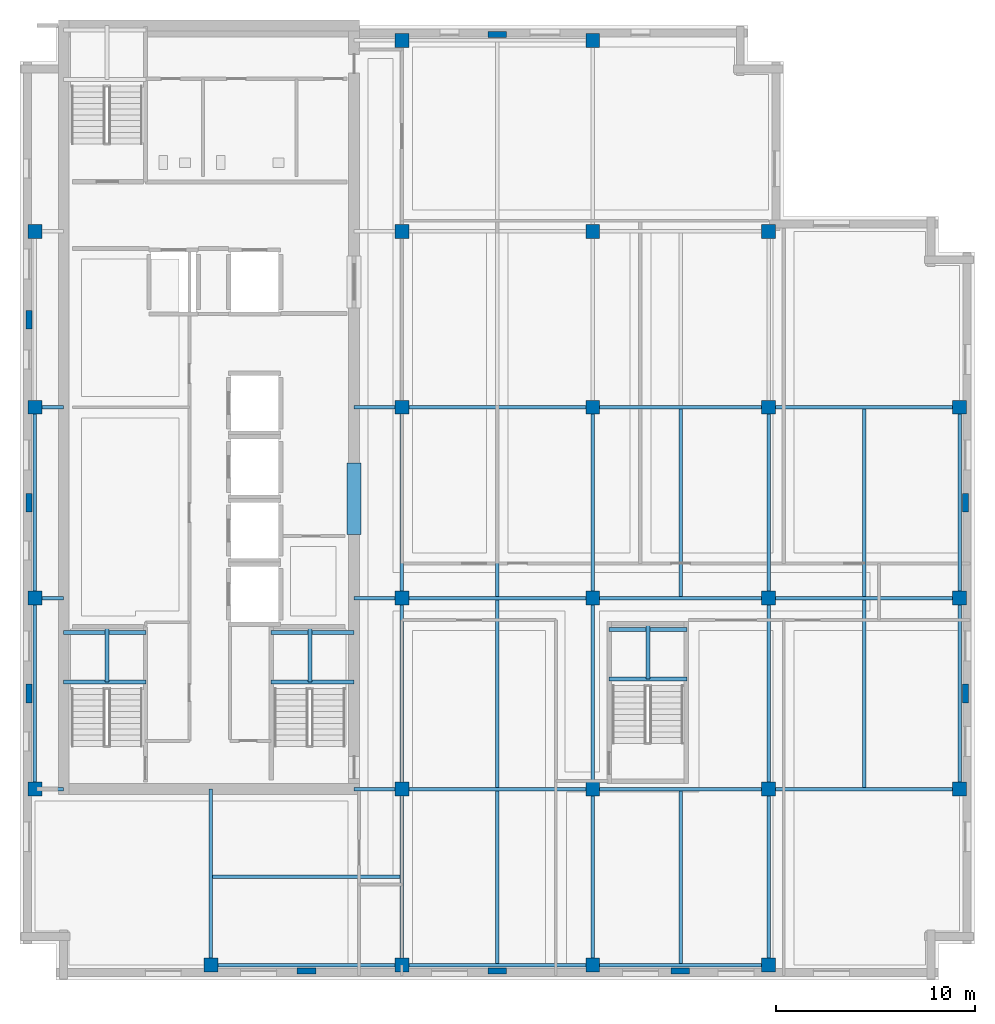
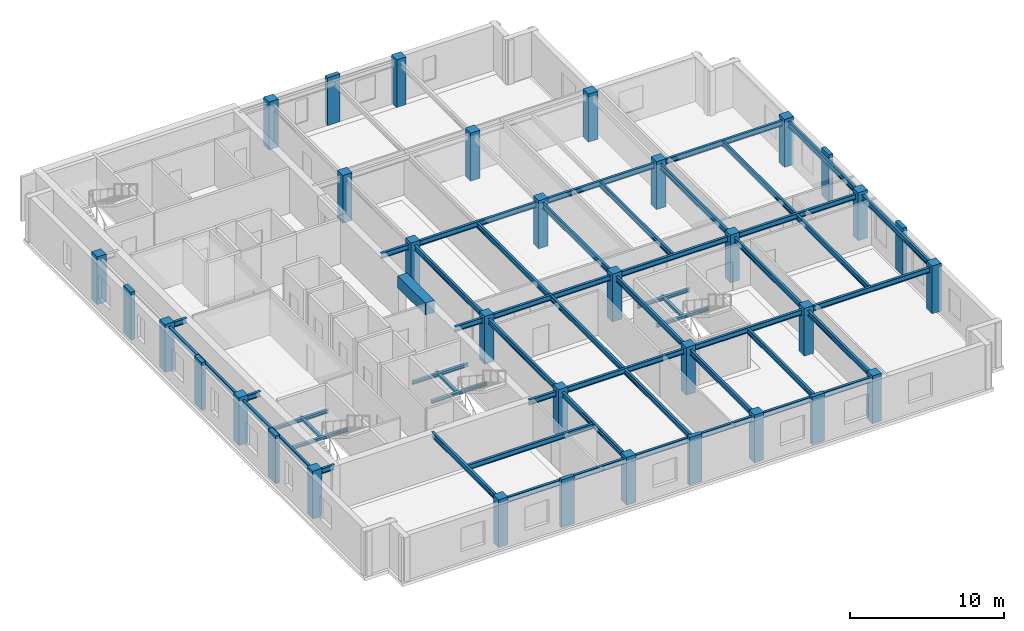
# One storey, part 1 of 11: 50 beams, 34 columns.
"""IFC4 building model written with IfcOpenShell, lengths in metres."""

import ifcopenshell
import ifcopenshell.guid

model = None  # the IFC model being written
_history = None  # IfcOwnerHistory: only IFC2X3 demands one
_inside = {}  # id of a spatial element -> (the spatial element, [elements in it])
_under = {}  # id of a project, library or spatial element -> (it, [spatial elements below it])
_declared = {}  # id of a project -> (the project, [libraries it declares])
_typed = {}  # id of a type object -> (the type object, [elements of that type])
_made_of = {}  # id of a material, layer set ... -> (it, [elements and type objects made of it])


def new_model(schema):
    """Start an empty IFC model of exactly this schema.

    Asked for "IFC4X3", IfcOpenShell would pick the latest addendum, in which some entities
    have other attributes; the version numbers below select the first issue.
    IFC2X3 requires an IfcOwnerHistory on every rooted entity: one is made here for all.
    """
    global model, _history
    if schema == "IFC4X3":
        model = ifcopenshell.file(schema_version=(4, 3, 0, 0))
    else:
        model = ifcopenshell.file(schema=schema)
    _inside.clear()
    _under.clear()
    _declared.clear()
    _typed.clear()
    _made_of.clear()
    _history = None
    if model.schema == "IFC2X3":
        org = make("IfcOrganization", Name="unknown")
        user = make(
            "IfcPersonAndOrganization",
            ThePerson=make("IfcPerson", FamilyName="unknown"),
            TheOrganization=org,
        )
        app = make(
            "IfcApplication",
            ApplicationDeveloper=org,
            Version="unknown",
            ApplicationFullName="unknown",
            ApplicationIdentifier="unknown",
        )
        _history = make(
            "IfcOwnerHistory",
            OwningUser=user,
            OwningApplication=app,
            ChangeAction="ADDED",
            CreationDate=0,
        )
    return model


def make(cls, **values):
    """One entity of the class cls with the attributes given. An attribute that is None is left unset."""
    return model.create_entity(
        cls, **{name: value for name, value in values.items() if value is not None}
    )


def rooted(cls, **values):
    """An entity with a GlobalId (a new one), such as an element, a storey or a relation."""
    return make(cls, GlobalId=ifcopenshell.guid.new(), OwnerHistory=_history, **values)


def si_unit(unit_type, name, prefix=None):
    """IfcSIUnit, for example si_unit("LENGTHUNIT", "METRE", prefix="MILLI")."""
    return make("IfcSIUnit", UnitType=unit_type, Prefix=prefix, Name=name)


def assignment(units):
    """IfcUnitAssignment: the units of a project."""
    return None if units is None else make("IfcUnitAssignment", Units=units)


def point(xyz):
    """IfcCartesianPoint."""
    return None if xyz is None else make("IfcCartesianPoint", Coordinates=xyz)


def direction(xyz):
    """IfcDirection."""
    return None if xyz is None else make("IfcDirection", DirectionRatios=xyz)


def frame(location, z_axis=None, x_axis=None):
    """IfcAxis2Placement3D, a coordinate frame: its origin and axes. An axis left out is left unset."""
    return make(
        "IfcAxis2Placement3D",
        Location=point(location),
        Axis=direction(z_axis),
        RefDirection=direction(x_axis),
    )


def frame_2d(location, x_axis=None):
    """IfcAxis2Placement2D, a coordinate frame in the plane: its origin and x axis."""
    return make(
        "IfcAxis2Placement2D", Location=point(location), RefDirection=direction(x_axis)
    )


def origin():
    """The frame at (0, 0, 0) with its axes left unset."""
    return frame((0.0, 0.0, 0.0))


def origin_2d():
    """The frame at (0, 0) in the plane with its x axis left unset."""
    return frame_2d((0.0, 0.0))


def place(relative_to, where):
    """IfcLocalPlacement: puts the frame where relative to a parent placement (None: the world)."""
    return make(
        "IfcLocalPlacement", PlacementRelTo=relative_to, RelativePlacement=where
    )


def context(
    kind, dimensions, precision=None, world=None, true_north=None, identifier=None
):
    """IfcGeometricRepresentationContext, for example the 3D "Model" context."""
    return make(
        "IfcGeometricRepresentationContext",
        ContextIdentifier=identifier,
        ContextType=kind,
        CoordinateSpaceDimension=dimensions,
        Precision=precision,
        WorldCoordinateSystem=world,
        TrueNorth=true_north,
    )


def subcontext(parent, identifier, kind, view, scale=None):
    """IfcGeometricRepresentationSubContext, for example "Body" below "Model"."""
    return make(
        "IfcGeometricRepresentationSubContext",
        ContextIdentifier=identifier,
        ContextType=kind,
        ParentContext=parent,
        TargetScale=scale,
        TargetView=view,
    )


def project(units=None, contexts=None):
    """IfcProject with its units and contexts."""
    return rooted(
        "IfcProject",
        Name="project",
        RepresentationContexts=contexts,
        UnitsInContext=assignment(units),
    )


def spatial(cls, under=None, at=None, **own):
    """A site, building, storey or space (cls), placed at a placement, below another one or the project."""
    s = rooted(cls, ObjectPlacement=at, **own)
    if under is not None:
        _under.setdefault(under.id(), (under, []))[1].append(s)
    return s


def profile(cls, at=None, kind="AREA", **sizes):
    """A parametric profile (cls). Its sizes go by their IFC names, for example OverallWidth=200.0."""
    return make(cls, ProfileType=kind, Position=at, **sizes)


def rectangle(**sizes):
    """IfcRectangleProfileDef."""
    return profile("IfcRectangleProfileDef", **sizes)


def i_section(**sizes):
    """IfcIShapeProfileDef."""
    return profile("IfcIShapeProfileDef", **sizes)


def extrude(swept, where, along, depth):
    """IfcExtrudedAreaSolid: the profile swept, set in the frame where, extruded along a direction by depth."""
    return make(
        "IfcExtrudedAreaSolid",
        SweptArea=swept,
        Position=where,
        ExtrudedDirection=direction(along),
        Depth=depth,
    )


def shape(context_of_items, identifier, shape_type, items):
    """IfcShapeRepresentation: the items that make up one representation, for example the "Body"."""
    return make(
        "IfcShapeRepresentation",
        ContextOfItems=context_of_items,
        RepresentationIdentifier=identifier,
        RepresentationType=shape_type,
        Items=items,
    )


def material(Name=None, Category=None):
    """IfcMaterial."""
    return make("IfcMaterial", Name=Name, Category=Category)


def material_profile(
    of_material, cross_section, Name=None, Category=None, Priority=None
):
    """IfcMaterialProfile: a cross section and its material."""
    return make(
        "IfcMaterialProfile",
        Name=Name,
        Material=of_material,
        Profile=cross_section,
        Priority=Priority,
        Category=Category,
    )


def profile_set(profiles, Name=None, composite=None):
    """IfcMaterialProfileSet."""
    return make(
        "IfcMaterialProfileSet",
        Name=Name,
        MaterialProfiles=profiles,
        CompositeProfile=composite,
    )


def made_of(thing, what):
    """Note that an element or type object is made of a material, layer set ...; save() writes the relation."""
    if what is not None:
        _made_of.setdefault(what.id(), (what, []))[1].append(thing)
    return thing


def type_object(cls, material=None, **own):
    """A type object (cls), such as IfcWallType, which elements share."""
    return made_of(rooted(cls, **own), material)


def element(
    cls,
    number,
    at=None,
    inside=None,
    cuts=None,
    type_object=None,
    material=None,
    context=None,
    identifier="Body",
    shape_type=None,
    held_by="IfcProductDefinitionShape",
    body=None,
    shapes=None,
    **own,
):
    """One element of the class cls, such as IfcWall. Its Tag is "e" and its number.

    at: its placement. inside: the storey or other place that contains it. cuts: it is an
    opening in that element (IfcRelVoidsElement). A single representation is given by context,
    identifier, shape_type and body (its items); several are given by shapes. held_by: the class
    of the entity that holds the representations. save() writes the other relations.
    """
    e = rooted(cls, Tag="e%d" % number, ObjectPlacement=at, **own)
    if body is not None:
        shapes = [shape(context, identifier, shape_type, body)]
    if shapes is not None:
        e.Representation = make(held_by, Representations=shapes)
    if inside is not None:
        _inside.setdefault(inside.id(), (inside, []))[1].append(e)
    if cuts is not None:
        rooted(
            "IfcRelVoidsElement", RelatingBuildingElement=cuts, RelatedOpeningElement=e
        )
    if type_object is not None:
        _typed.setdefault(type_object.id(), (type_object, []))[1].append(e)
    return made_of(e, material)


def aggregate(whole, parts):
    """IfcRelAggregates: a whole, such as a stair, and the parts it consists of."""
    return rooted("IfcRelAggregates", RelatingObject=whole, RelatedObjects=parts)


def save(model, path):
    """Write the relations noted so far, then the file.

    IfcRelAggregates (storeys below a building ...), IfcRelContainedInSpatialStructure (elements
    in a storey), IfcRelDefinesByType, IfcRelAssociatesMaterial and IfcRelDeclares: one each for
    every whole, place, type object, material and project.
    """
    for whole, parts in _under.values():
        aggregate(whole, parts)
    for where, things in _inside.values():
        rooted(
            "IfcRelContainedInSpatialStructure",
            RelatedElements=things,
            RelatingStructure=where,
        )
    for kind, things in _typed.values():
        rooted("IfcRelDefinesByType", RelatedObjects=things, RelatingType=kind)
    for what, things in _made_of.values():
        rooted("IfcRelAssociatesMaterial", RelatedObjects=things, RelatingMaterial=what)
    for by, libraries in _declared.values():
        rooted("IfcRelDeclares", RelatingContext=by, RelatedDefinitions=libraries)
    model.write(path)


model = new_model("IFC4")

# Units and contexts
model_context = context("Model", 3, precision=1e-05, world=origin(), true_north=direction((0.0, 1.0)))
body_context = subcontext(model_context, "Body", "Model", "MODEL_VIEW")
ifc_project = project(units=[si_unit("LENGTHUNIT", "METRE"), si_unit("AREAUNIT", "SQUARE_METRE"), si_unit("VOLUMEUNIT", "CUBIC_METRE"), si_unit("PLANEANGLEUNIT", "RADIAN"), si_unit("MASSUNIT", "GRAM", prefix="KILO")], contexts=[model_context])

# Site, building, storey
site_placement = place(None, origin())
site = spatial("IfcSite", under=ifc_project, at=site_placement, CompositionType="ELEMENT")
building_placement = place(site_placement, origin())
building = spatial("IfcBuilding", under=site, at=building_placement, Name="Norrvale University Quadrangle", CompositionType="ELEMENT")
storey_placement = place(building_placement, frame((0.0, 0.0, 284.800048828125)))
storey = spatial("IfcBuildingStorey", under=building, at=storey_placement, Name="L72", CompositionType="ELEMENT", Elevation=284.800048828125)

# Columns
ifc_material_1 = material(Name="Red Manganese Brick Concrete C60/75", Category="concrete")
ifc_material_profile_1 = material_profile(ifc_material_1, rectangle(XDim=0.949951171875, YDim=0.300048828125, at=origin_2d()), Name="Red Manganese Brick Concrete C60/75")
ifc_profile_set_1 = profile_set([ifc_material_profile_1], Name="Red Manganese Brick Concrete C60/75")
column_type_1 = type_object("IfcColumnType", Name="Column Brick Pier 950x300", PredefinedType="PILASTER", material=ifc_profile_set_1)
for number, where, z_axis, x_axis, name in (
    (1, (0.449951171875, 14.39990234375, 0.0), (0.0, 0.0, 1.0), (0.0, 1.0, 0.0), "Exterior Brick Facade Pilaster L72-01"),
    (2, (0.449951171875, 24.0, 0.0), (0.0, 0.0, 1.0), (0.0, 1.0, 0.0), "Exterior Brick Facade Pilaster L72-02"),
    (3, (0.449951171875, 33.199951171875, 0.0), (0.0, 0.0, 1.0), (0.0, 1.0, 0.0), "Exterior Brick Facade Pilaster L72-03"),
    (4, (14.39990234375, 0.449951171875, 0.0), (0.0, 0.0, 1.0), (1.0, 0.0, 0.0), "Exterior Brick Facade Pilaster L72-04"),
    (5, (24.0, 0.449951171875, 0.0), (0.0, 0.0, 1.0), (1.0, 0.0, 0.0), "Exterior Brick Facade Pilaster L72-05"),
    (6, (33.199951171875, 0.449951171875, 0.0), (0.0, 0.0, 1.0), (1.0, 0.0, 0.0), "Exterior Brick Facade Pilaster L72-06"),
    (7, (47.550048828125, 14.39990234375, 0.0), (0.0, 0.0, 1.0), (0.0, 1.0, 0.0), "Exterior Brick Facade Pilaster L72-07"),
    (8, (47.550048828125, 24.0, 0.0), (0.0, 0.0, 1.0), (0.0, 1.0, 0.0), "Exterior Brick Facade Pilaster L72-08"),
    (9, (24.0, 47.550048828125, 0.0), (0.0, 0.0, 1.0), (1.0, 0.0, 0.0), "Exterior Brick Facade Pilaster L72-09"),
):
    element("IfcColumn", number, at=place(storey_placement, frame(where, z_axis=z_axis, x_axis=x_axis)), inside=storey, type_object=column_type_1, Name=name, PredefinedType="PILASTER", context=body_context, shape_type="SweptSolid", body=[
        extrude(rectangle(XDim=0.949951171875, YDim=0.300048828125, at=origin_2d()), origin(), (0.0, 0.0, 1.0), 3.800048828125),
    ])
ifc_material_2 = material(Name="Concrete C60/75", Category="concrete")
ifc_material_profile_2 = material_profile(ifc_material_2, rectangle(XDim=0.699951171875, YDim=0.699951171875, at=origin_2d()), Name="Concrete C60/75")
ifc_profile_set_2 = profile_set([ifc_material_profile_2], Name="Concrete C60/75")
column_type_2 = type_object("IfcColumnType", Name="Column Tower Z4 700x700", PredefinedType="COLUMN", material=ifc_profile_set_2)
for number, where, z_axis, x_axis, name in (
    (10, (0.75, 9.60009765625, 0.0), (0.0, 0.0, 1.0), (1.0, 0.0, 0.0), "Tower Column L72-T01"),
    (11, (0.75, 19.199951171875, 0.0), (0.0, 0.0, 1.0), (1.0, 0.0, 0.0), "Tower Column L72-T02"),
    (12, (0.75, 28.800048828125, 0.0), (0.0, 0.0, 1.0), (1.0, 0.0, 0.0), "Tower Column L72-T03"),
    (13, (0.75, 37.64990234375, 0.0), (0.0, 0.0, 1.0), (1.0, 0.0, 0.0), "Tower Column L72-T04"),
    (14, (9.60009765625, 0.75, 0.0), (0.0, 0.0, 1.0), (1.0, 0.0, 0.0), "Tower Column L72-T05"),
    (15, (19.199951171875, 0.75, 0.0), (0.0, 0.0, 1.0), (1.0, 0.0, 0.0), "Tower Column L72-T06"),
    (16, (19.199951171875, 9.60009765625, 0.0), (0.0, 0.0, 1.0), (1.0, 0.0, 0.0), "Tower Column L72-T07"),
    (17, (19.199951171875, 19.199951171875, 0.0), (0.0, 0.0, 1.0), (1.0, 0.0, 0.0), "Tower Column L72-T08"),
    (18, (19.199951171875, 28.800048828125, 0.0), (0.0, 0.0, 1.0), (1.0, 0.0, 0.0), "Tower Column L72-T09"),
    (19, (19.199951171875, 37.64990234375, 0.0), (0.0, 0.0, 1.0), (1.0, 0.0, 0.0), "Tower Column L72-T10"),
    (20, (19.199951171875, 47.25, 0.0), (0.0, 0.0, 1.0), (1.0, 0.0, 0.0), "Tower Column L72-T11"),
    (21, (28.800048828125, 0.75, 0.0), (0.0, 0.0, 1.0), (1.0, 0.0, 0.0), "Tower Column L72-T12"),
    (22, (28.800048828125, 9.60009765625, 0.0), (0.0, 0.0, 1.0), (1.0, 0.0, 0.0), "Tower Column L72-T13"),
    (23, (28.800048828125, 19.199951171875, 0.0), (0.0, 0.0, 1.0), (1.0, 0.0, 0.0), "Tower Column L72-T14"),
    (24, (28.800048828125, 28.800048828125, 0.0), (0.0, 0.0, 1.0), (1.0, 0.0, 0.0), "Tower Column L72-T15"),
    (25, (28.800048828125, 37.64990234375, 0.0), (0.0, 0.0, 1.0), (1.0, 0.0, 0.0), "Tower Column L72-T16"),
    (26, (28.800048828125, 47.25, 0.0), (0.0, 0.0, 1.0), (1.0, 0.0, 0.0), "Tower Column L72-T17"),
    (27, (37.64990234375, 0.75, 0.0), (0.0, 0.0, 1.0), (1.0, 0.0, 0.0), "Tower Column L72-T18"),
    (28, (37.64990234375, 9.60009765625, 0.0), (0.0, 0.0, 1.0), (1.0, 0.0, 0.0), "Tower Column L72-T19"),
    (29, (37.64990234375, 19.199951171875, 0.0), (0.0, 0.0, 1.0), (1.0, 0.0, 0.0), "Tower Column L72-T20"),
    (30, (37.64990234375, 28.800048828125, 0.0), (0.0, 0.0, 1.0), (1.0, 0.0, 0.0), "Tower Column L72-T21"),
    (31, (37.64990234375, 37.64990234375, 0.0), (0.0, 0.0, 1.0), (1.0, 0.0, 0.0), "Tower Column L72-T22"),
    (32, (47.25, 9.60009765625, 0.0), (0.0, 0.0, 1.0), (1.0, 0.0, 0.0), "Tower Column L72-T23"),
    (33, (47.25, 19.199951171875, 0.0), (0.0, 0.0, 1.0), (1.0, 0.0, 0.0), "Tower Column L72-T24"),
    (34, (47.25, 28.800048828125, 0.0), (0.0, 0.0, 1.0), (1.0, 0.0, 0.0), "Tower Column L72-T25"),
):
    element("IfcColumn", number, at=place(storey_placement, frame(where, z_axis=z_axis, x_axis=x_axis)), inside=storey, type_object=column_type_2, Name=name, PredefinedType="COLUMN", context=body_context, shape_type="SweptSolid", body=[
        extrude(rectangle(XDim=0.699951171875, YDim=0.699951171875, at=origin_2d()), origin(), (0.0, 0.0, 1.0), 3.800048828125),
    ])

# Beams
ifc_material_3 = material(Name="Steel 350W", Category="steel")
ifc_material_profile_3 = material_profile(ifc_material_3, i_section(OverallWidth=0.180908203125, OverallDepth=0.4169921875, WebThickness=0.010986328125, FlangeThickness=0.018310546875, FilletRadius=0.011962890625, at=origin_2d()), Name="Steel 350W")
ifc_profile_set_3 = profile_set([ifc_material_profile_3], Name="Steel 350W")
beam_type_1 = type_object("IfcBeamType", Name="Beam Atrium W410x85", PredefinedType="BEAM", material=ifc_profile_set_3)
beam_1_placement = place(storey_placement, frame((9.60009765625, 0.75, 3.33154296875), z_axis=(1.0, 0.0, 0.0), x_axis=(0.0, 1.0, 0.0)))
element("IfcBeam", 35, at=beam_1_placement, inside=storey, type_object=beam_type_1, Name="Beam Atrium W410x85 BM-L72-GX001", PredefinedType="BEAM", context=body_context, shape_type="SweptSolid", body=[
    extrude(i_section(OverallWidth=0.180908203125, OverallDepth=0.4169921875, WebThickness=0.010986328125, FlangeThickness=0.018310546875, FilletRadius=0.011962890625, at=origin_2d()), origin(), (0.0, 0.0, 1.0), 9.599853515625),
])
beam_2_placement = place(storey_placement, frame((19.199951171875, 0.75, 3.33154296875), z_axis=(1.0, 0.0, 0.0), x_axis=(0.0, 1.0, 0.0)))
element("IfcBeam", 36, at=beam_2_placement, inside=storey, type_object=beam_type_1, Name="Beam Atrium W410x85 BM-L72-GX002", PredefinedType="BEAM", context=body_context, shape_type="SweptSolid", body=[
    extrude(i_section(OverallWidth=0.180908203125, OverallDepth=0.4169921875, WebThickness=0.010986328125, FlangeThickness=0.018310546875, FilletRadius=0.011962890625, at=origin_2d()), origin(), (0.0, 0.0, 1.0), 9.60009765625),
])
beam_3_placement = place(storey_placement, frame((28.800048828125, 0.75, 3.33154296875), z_axis=(1.0, 0.0, 0.0), x_axis=(0.0, 1.0, 0.0)))
element("IfcBeam", 37, at=beam_3_placement, inside=storey, type_object=beam_type_1, Name="Beam Atrium W410x85 BM-L72-GX003", PredefinedType="BEAM", context=body_context, shape_type="SweptSolid", body=[
    extrude(i_section(OverallWidth=0.180908203125, OverallDepth=0.4169921875, WebThickness=0.010986328125, FlangeThickness=0.018310546875, FilletRadius=0.011962890625, at=origin_2d()), origin(), (0.0, 0.0, 1.0), 8.849853515625),
])
beam_4_placement = place(storey_placement, frame((19.199951171875, 9.60009765625, 3.33154296875), z_axis=(1.0, 0.0, 0.0), x_axis=(0.0, 1.0, 0.0)))
element("IfcBeam", 38, at=beam_4_placement, inside=storey, type_object=beam_type_1, Name="Beam Atrium W410x85 BM-L72-GX004", PredefinedType="BEAM", context=body_context, shape_type="SweptSolid", body=[
    extrude(i_section(OverallWidth=0.180908203125, OverallDepth=0.4169921875, WebThickness=0.010986328125, FlangeThickness=0.018310546875, FilletRadius=0.011962890625, at=origin_2d()), origin(), (0.0, 0.0, 1.0), 9.60009765625),
])
beam_5_placement = place(storey_placement, frame((28.800048828125, 9.60009765625, 3.33154296875), z_axis=(1.0, 0.0, 0.0), x_axis=(0.0, 1.0, 0.0)))
element("IfcBeam", 39, at=beam_5_placement, inside=storey, type_object=beam_type_1, Name="Beam Atrium W410x85 BM-L72-GX005", PredefinedType="BEAM", context=body_context, shape_type="SweptSolid", body=[
    extrude(i_section(OverallWidth=0.180908203125, OverallDepth=0.4169921875, WebThickness=0.010986328125, FlangeThickness=0.018310546875, FilletRadius=0.011962890625, at=origin_2d()), origin(), (0.0, 0.0, 1.0), 8.849853515625),
])
for number, where, z_axis, x_axis, name in (
    (40, (37.64990234375, 9.60009765625, 3.33154296875), (1.0, 0.0, 0.0), (0.0, 1.0, 0.0), "Beam Atrium W410x85 BM-L72-GX006"),
    (41, (19.199951171875, 19.199951171875, 3.33154296875), (1.0, 0.0, 0.0), (0.0, 1.0, 0.0), "Beam Atrium W410x85 BM-L72-GX007"),
):
    element("IfcBeam", number, at=place(storey_placement, frame(where, z_axis=z_axis, x_axis=x_axis)), inside=storey, type_object=beam_type_1, Name=name, PredefinedType="BEAM", context=body_context, shape_type="SweptSolid", body=[
        extrude(i_section(OverallWidth=0.180908203125, OverallDepth=0.4169921875, WebThickness=0.010986328125, FlangeThickness=0.018310546875, FilletRadius=0.011962890625, at=origin_2d()), origin(), (0.0, 0.0, 1.0), 9.60009765625),
    ])
beam_6_placement = place(storey_placement, frame((28.800048828125, 19.199951171875, 3.33154296875), z_axis=(1.0, 0.0, 0.0), x_axis=(0.0, 1.0, 0.0)))
element("IfcBeam", 42, at=beam_6_placement, inside=storey, type_object=beam_type_1, Name="Beam Atrium W410x85 BM-L72-GX008", PredefinedType="BEAM", context=body_context, shape_type="SweptSolid", body=[
    extrude(i_section(OverallWidth=0.180908203125, OverallDepth=0.4169921875, WebThickness=0.010986328125, FlangeThickness=0.018310546875, FilletRadius=0.011962890625, at=origin_2d()), origin(), (0.0, 0.0, 1.0), 8.849853515625),
])
for number, where, z_axis, x_axis, name in (
    (43, (37.64990234375, 19.199951171875, 3.33154296875), (1.0, 0.0, 0.0), (0.0, 1.0, 0.0), "Beam Atrium W410x85 BM-L72-GX009"),
    (44, (19.199951171875, 28.800048828125, 3.33154296875), (1.0, 0.0, 0.0), (0.0, 1.0, 0.0), "Beam Atrium W410x85 BM-L72-GX010"),
):
    element("IfcBeam", number, at=place(storey_placement, frame(where, z_axis=z_axis, x_axis=x_axis)), inside=storey, type_object=beam_type_1, Name=name, PredefinedType="BEAM", context=body_context, shape_type="SweptSolid", body=[
        extrude(i_section(OverallWidth=0.180908203125, OverallDepth=0.4169921875, WebThickness=0.010986328125, FlangeThickness=0.018310546875, FilletRadius=0.011962890625, at=origin_2d()), origin(), (0.0, 0.0, 1.0), 9.60009765625),
    ])
beam_7_placement = place(storey_placement, frame((28.800048828125, 28.800048828125, 3.33154296875), z_axis=(1.0, 0.0, 0.0), x_axis=(0.0, 1.0, 0.0)))
element("IfcBeam", 45, at=beam_7_placement, inside=storey, type_object=beam_type_1, Name="Beam Atrium W410x85 BM-L72-GX011", PredefinedType="BEAM", context=body_context, shape_type="SweptSolid", body=[
    extrude(i_section(OverallWidth=0.180908203125, OverallDepth=0.4169921875, WebThickness=0.010986328125, FlangeThickness=0.018310546875, FilletRadius=0.011962890625, at=origin_2d()), origin(), (0.0, 0.0, 1.0), 8.849853515625),
])
beam_8_placement = place(storey_placement, frame((37.64990234375, 28.800048828125, 3.33154296875), z_axis=(1.0, 0.0, 0.0), x_axis=(0.0, 1.0, 0.0)))
element("IfcBeam", 46, at=beam_8_placement, inside=storey, type_object=beam_type_1, Name="Beam Atrium W410x85 BM-L72-GX012", PredefinedType="BEAM", context=body_context, shape_type="SweptSolid", body=[
    extrude(i_section(OverallWidth=0.180908203125, OverallDepth=0.4169921875, WebThickness=0.010986328125, FlangeThickness=0.018310546875, FilletRadius=0.011962890625, at=origin_2d()), origin(), (0.0, 0.0, 1.0), 9.60009765625),
])
beam_9_placement = place(storey_placement, frame((0.75, 9.60009765625, 3.33154296875), z_axis=(0.0, 1.0, 0.0), x_axis=(-1.0, 0.0, 0.0)))
element("IfcBeam", 47, at=beam_9_placement, inside=storey, type_object=beam_type_1, Name="Beam Atrium W410x85 BM-L72-GY016", PredefinedType="BEAM", context=body_context, shape_type="SweptSolid", body=[
    extrude(i_section(OverallWidth=0.180908203125, OverallDepth=0.4169921875, WebThickness=0.010986328125, FlangeThickness=0.018310546875, FilletRadius=0.011962890625, at=origin_2d()), origin(), (0.0, 0.0, 1.0), 9.599853515625),
])
beam_10_placement = place(storey_placement, frame((0.75, 19.199951171875, 3.33154296875), z_axis=(0.0, 1.0, 0.0), x_axis=(-1.0, 0.0, 0.0)))
element("IfcBeam", 48, at=beam_10_placement, inside=storey, type_object=beam_type_1, Name="Beam Atrium W410x85 BM-L72-GY017", PredefinedType="BEAM", context=body_context, shape_type="SweptSolid", body=[
    extrude(i_section(OverallWidth=0.180908203125, OverallDepth=0.4169921875, WebThickness=0.010986328125, FlangeThickness=0.018310546875, FilletRadius=0.011962890625, at=origin_2d()), origin(), (0.0, 0.0, 1.0), 9.60009765625),
])
beam_11_placement = place(storey_placement, frame((19.199951171875, 0.75, 3.33154296875), z_axis=(0.0, 1.0, 0.0), x_axis=(-1.0, 0.0, 0.0)))
element("IfcBeam", 49, at=beam_11_placement, inside=storey, type_object=beam_type_1, Name="Beam Atrium W410x85 BM-L72-GY019", PredefinedType="BEAM", context=body_context, shape_type="SweptSolid", body=[
    extrude(i_section(OverallWidth=0.180908203125, OverallDepth=0.4169921875, WebThickness=0.010986328125, FlangeThickness=0.018310546875, FilletRadius=0.011962890625, at=origin_2d()), origin(), (0.0, 0.0, 1.0), 8.85009765625),
])
beam_12_placement = place(storey_placement, frame((19.199951171875, 9.60009765625, 3.33154296875), z_axis=(0.0, 1.0, 0.0), x_axis=(-1.0, 0.0, 0.0)))
element("IfcBeam", 50, at=beam_12_placement, inside=storey, type_object=beam_type_1, Name="Beam Atrium W410x85 BM-L72-GY020", PredefinedType="BEAM", context=body_context, shape_type="SweptSolid", body=[
    extrude(i_section(OverallWidth=0.180908203125, OverallDepth=0.4169921875, WebThickness=0.010986328125, FlangeThickness=0.018310546875, FilletRadius=0.011962890625, at=origin_2d()), origin(), (0.0, 0.0, 1.0), 9.599853515625),
])
beam_13_placement = place(storey_placement, frame((19.199951171875, 19.199951171875, 3.33154296875), z_axis=(0.0, 1.0, 0.0), x_axis=(-1.0, 0.0, 0.0)))
element("IfcBeam", 51, at=beam_13_placement, inside=storey, type_object=beam_type_1, Name="Beam Atrium W410x85 BM-L72-GY021", PredefinedType="BEAM", context=body_context, shape_type="SweptSolid", body=[
    extrude(i_section(OverallWidth=0.180908203125, OverallDepth=0.4169921875, WebThickness=0.010986328125, FlangeThickness=0.018310546875, FilletRadius=0.011962890625, at=origin_2d()), origin(), (0.0, 0.0, 1.0), 9.60009765625),
])
beam_14_placement = place(storey_placement, frame((28.800048828125, 0.75, 3.33154296875), z_axis=(0.0, 1.0, 0.0), x_axis=(-1.0, 0.0, 0.0)))
element("IfcBeam", 52, at=beam_14_placement, inside=storey, type_object=beam_type_1, Name="Beam Atrium W410x85 BM-L72-GY024", PredefinedType="BEAM", context=body_context, shape_type="SweptSolid", body=[
    extrude(i_section(OverallWidth=0.180908203125, OverallDepth=0.4169921875, WebThickness=0.010986328125, FlangeThickness=0.018310546875, FilletRadius=0.011962890625, at=origin_2d()), origin(), (0.0, 0.0, 1.0), 8.85009765625),
])
beam_15_placement = place(storey_placement, frame((28.800048828125, 9.60009765625, 3.33154296875), z_axis=(0.0, 1.0, 0.0), x_axis=(-1.0, 0.0, 0.0)))
element("IfcBeam", 53, at=beam_15_placement, inside=storey, type_object=beam_type_1, Name="Beam Atrium W410x85 BM-L72-GY025", PredefinedType="BEAM", context=body_context, shape_type="SweptSolid", body=[
    extrude(i_section(OverallWidth=0.180908203125, OverallDepth=0.4169921875, WebThickness=0.010986328125, FlangeThickness=0.018310546875, FilletRadius=0.011962890625, at=origin_2d()), origin(), (0.0, 0.0, 1.0), 9.599853515625),
])
beam_16_placement = place(storey_placement, frame((28.800048828125, 19.199951171875, 3.33154296875), z_axis=(0.0, 1.0, 0.0), x_axis=(-1.0, 0.0, 0.0)))
element("IfcBeam", 54, at=beam_16_placement, inside=storey, type_object=beam_type_1, Name="Beam Atrium W410x85 BM-L72-GY026", PredefinedType="BEAM", context=body_context, shape_type="SweptSolid", body=[
    extrude(i_section(OverallWidth=0.180908203125, OverallDepth=0.4169921875, WebThickness=0.010986328125, FlangeThickness=0.018310546875, FilletRadius=0.011962890625, at=origin_2d()), origin(), (0.0, 0.0, 1.0), 9.60009765625),
])
beam_17_placement = place(storey_placement, frame((37.64990234375, 0.75, 3.33154296875), z_axis=(0.0, 1.0, 0.0), x_axis=(-1.0, 0.0, 0.0)))
element("IfcBeam", 55, at=beam_17_placement, inside=storey, type_object=beam_type_1, Name="Beam Atrium W410x85 BM-L72-GY029", PredefinedType="BEAM", context=body_context, shape_type="SweptSolid", body=[
    extrude(i_section(OverallWidth=0.180908203125, OverallDepth=0.4169921875, WebThickness=0.010986328125, FlangeThickness=0.018310546875, FilletRadius=0.011962890625, at=origin_2d()), origin(), (0.0, 0.0, 1.0), 8.85009765625),
])
beam_18_placement = place(storey_placement, frame((37.64990234375, 9.60009765625, 3.33154296875), z_axis=(0.0, 1.0, 0.0), x_axis=(-1.0, 0.0, 0.0)))
element("IfcBeam", 56, at=beam_18_placement, inside=storey, type_object=beam_type_1, Name="Beam Atrium W410x85 BM-L72-GY030", PredefinedType="BEAM", context=body_context, shape_type="SweptSolid", body=[
    extrude(i_section(OverallWidth=0.180908203125, OverallDepth=0.4169921875, WebThickness=0.010986328125, FlangeThickness=0.018310546875, FilletRadius=0.011962890625, at=origin_2d()), origin(), (0.0, 0.0, 1.0), 9.599853515625),
])
beam_19_placement = place(storey_placement, frame((37.64990234375, 19.199951171875, 3.33154296875), z_axis=(0.0, 1.0, 0.0), x_axis=(-1.0, 0.0, 0.0)))
element("IfcBeam", 57, at=beam_19_placement, inside=storey, type_object=beam_type_1, Name="Beam Atrium W410x85 BM-L72-GY031", PredefinedType="BEAM", context=body_context, shape_type="SweptSolid", body=[
    extrude(i_section(OverallWidth=0.180908203125, OverallDepth=0.4169921875, WebThickness=0.010986328125, FlangeThickness=0.018310546875, FilletRadius=0.011962890625, at=origin_2d()), origin(), (0.0, 0.0, 1.0), 9.60009765625),
])
beam_20_placement = place(storey_placement, frame((47.25, 9.60009765625, 3.33154296875), z_axis=(0.0, 1.0, 0.0), x_axis=(-1.0, 0.0, 0.0)))
element("IfcBeam", 58, at=beam_20_placement, inside=storey, type_object=beam_type_1, Name="Beam Atrium W410x85 BM-L72-GY033", PredefinedType="BEAM", context=body_context, shape_type="SweptSolid", body=[
    extrude(i_section(OverallWidth=0.180908203125, OverallDepth=0.4169921875, WebThickness=0.010986328125, FlangeThickness=0.018310546875, FilletRadius=0.011962890625, at=origin_2d()), origin(), (0.0, 0.0, 1.0), 9.599853515625),
])
beam_21_placement = place(storey_placement, frame((47.25, 19.199951171875, 3.33154296875), z_axis=(0.0, 1.0, 0.0), x_axis=(-1.0, 0.0, 0.0)))
element("IfcBeam", 59, at=beam_21_placement, inside=storey, type_object=beam_type_1, Name="Beam Atrium W410x85 BM-L72-GY034", PredefinedType="BEAM", context=body_context, shape_type="SweptSolid", body=[
    extrude(i_section(OverallWidth=0.180908203125, OverallDepth=0.4169921875, WebThickness=0.010986328125, FlangeThickness=0.018310546875, FilletRadius=0.011962890625, at=origin_2d()), origin(), (0.0, 0.0, 1.0), 9.60009765625),
])
beam_22_placement = place(storey_placement, frame((0.75, 9.60009765625, 3.33154296875), z_axis=(1.0, 0.0, 0.0), x_axis=(0.0, 1.0, 0.0)))
element("IfcBeam", 60, at=beam_22_placement, inside=storey, type_object=beam_type_1, Name="Beam Atrium W410x85 BM-L72-GCW035", PredefinedType="BEAM", context=body_context, shape_type="SweptSolid", body=[
    extrude(i_section(OverallWidth=0.180908203125, OverallDepth=0.4169921875, WebThickness=0.010986328125, FlangeThickness=0.018310546875, FilletRadius=0.011962890625, at=origin_2d()), origin(), (0.0, 0.0, 1.0), 1.449951171875),
])
beam_23_placement = place(storey_placement, frame((16.800048828125, 9.60009765625, 3.33154296875), z_axis=(1.0, 0.0, 0.0), x_axis=(0.0, 1.0, 0.0)))
element("IfcBeam", 61, at=beam_23_placement, inside=storey, type_object=beam_type_1, Name="Beam Atrium W410x85 BM-L72-GCE036", PredefinedType="BEAM", context=body_context, shape_type="SweptSolid", body=[
    extrude(i_section(OverallWidth=0.180908203125, OverallDepth=0.4169921875, WebThickness=0.010986328125, FlangeThickness=0.018310546875, FilletRadius=0.011962890625, at=origin_2d()), origin(), (0.0, 0.0, 1.0), 2.39990234375),
])
beam_24_placement = place(storey_placement, frame((0.75, 19.199951171875, 3.33154296875), z_axis=(1.0, 0.0, 0.0), x_axis=(0.0, 1.0, 0.0)))
element("IfcBeam", 62, at=beam_24_placement, inside=storey, type_object=beam_type_1, Name="Beam Atrium W410x85 BM-L72-GCW037", PredefinedType="BEAM", context=body_context, shape_type="SweptSolid", body=[
    extrude(i_section(OverallWidth=0.180908203125, OverallDepth=0.4169921875, WebThickness=0.010986328125, FlangeThickness=0.018310546875, FilletRadius=0.011962890625, at=origin_2d()), origin(), (0.0, 0.0, 1.0), 1.449951171875),
])
beam_25_placement = place(storey_placement, frame((16.800048828125, 19.199951171875, 3.33154296875), z_axis=(1.0, 0.0, 0.0), x_axis=(0.0, 1.0, 0.0)))
element("IfcBeam", 63, at=beam_25_placement, inside=storey, type_object=beam_type_1, Name="Beam Atrium W410x85 BM-L72-GCE038", PredefinedType="BEAM", context=body_context, shape_type="SweptSolid", body=[
    extrude(i_section(OverallWidth=0.180908203125, OverallDepth=0.4169921875, WebThickness=0.010986328125, FlangeThickness=0.018310546875, FilletRadius=0.011962890625, at=origin_2d()), origin(), (0.0, 0.0, 1.0), 2.39990234375),
])
beam_26_placement = place(storey_placement, frame((0.75, 28.800048828125, 3.33154296875), z_axis=(1.0, 0.0, 0.0), x_axis=(0.0, 1.0, 0.0)))
element("IfcBeam", 64, at=beam_26_placement, inside=storey, type_object=beam_type_1, Name="Beam Atrium W410x85 BM-L72-GCW039", PredefinedType="BEAM", context=body_context, shape_type="SweptSolid", body=[
    extrude(i_section(OverallWidth=0.180908203125, OverallDepth=0.4169921875, WebThickness=0.010986328125, FlangeThickness=0.018310546875, FilletRadius=0.011962890625, at=origin_2d()), origin(), (0.0, 0.0, 1.0), 1.449951171875),
])
beam_27_placement = place(storey_placement, frame((16.800048828125, 28.800048828125, 3.33154296875), z_axis=(1.0, 0.0, 0.0), x_axis=(0.0, 1.0, 0.0)))
element("IfcBeam", 65, at=beam_27_placement, inside=storey, type_object=beam_type_1, Name="Beam Atrium W410x85 BM-L72-GCE040", PredefinedType="BEAM", context=body_context, shape_type="SweptSolid", body=[
    extrude(i_section(OverallWidth=0.180908203125, OverallDepth=0.4169921875, WebThickness=0.010986328125, FlangeThickness=0.018310546875, FilletRadius=0.011962890625, at=origin_2d()), origin(), (0.0, 0.0, 1.0), 2.39990234375),
])
beam_28_placement = place(storey_placement, frame((9.60009765625, 0.75, 3.33154296875), z_axis=(0.0, 1.0, 0.0), x_axis=(-1.0, 0.0, 0.0)))
element("IfcBeam", 66, at=beam_28_placement, inside=storey, type_object=beam_type_1, Name="Beam Atrium W410x85 BM-L72-GCS054", PredefinedType="BEAM", context=body_context, shape_type="SweptSolid", body=[
    extrude(i_section(OverallWidth=0.180908203125, OverallDepth=0.4169921875, WebThickness=0.010986328125, FlangeThickness=0.018310546875, FilletRadius=0.011962890625, at=origin_2d()), origin(), (0.0, 0.0, 1.0), 8.85009765625),
])
ifc_material_4 = material(Name="Concrete C80/95", Category="concrete")
ifc_material_profile_4 = material_profile(ifc_material_4, rectangle(XDim=0.699951171875, YDim=0.949951171875, at=origin_2d()), Name="Concrete C80/95")
ifc_profile_set_4 = profile_set([ifc_material_profile_4], Name="Concrete C80/95")
beam_type_2 = type_object("IfcBeamType", Name="Beam Core Link 700x950", PredefinedType="LINTEL", material=ifc_profile_set_4)
beam_29_placement = place(storey_placement, frame((16.800048828125, 22.39990234375, 3.06494140625), z_axis=(0.0, 1.0, 0.0), x_axis=(-1.0, 0.0, 0.0)))
element("IfcBeam", 67, at=beam_29_placement, inside=storey, type_object=beam_type_2, Name="Core Coupling Lintel Beam L72-1", PredefinedType="LINTEL", context=body_context, shape_type="SweptSolid", body=[
    extrude(rectangle(XDim=0.699951171875, YDim=0.949951171875, at=origin_2d()), origin(), (0.0, 0.0, 1.0), 3.60009765625),
])
ifc_material_profile_5 = material_profile(ifc_material_3, i_section(OverallWidth=0.177978515625, OverallDepth=0.406982421875, WebThickness=0.0078125, FlangeThickness=0.0126953125, FilletRadius=0.011962890625, at=origin_2d()), Name="Steel 350W")
ifc_profile_set_5 = profile_set([ifc_material_profile_5], Name="Steel 350W")
beam_type_3 = type_object("IfcBeamType", Name="Beam Roof Purlin W410x60", PredefinedType="USERDEFINED", material=ifc_profile_set_5)
beam_30_placement = place(storey_placement, frame((24.0, 0.840576171875, 3.33642578125), z_axis=(0.0, 1.0, 0.0), x_axis=(-1.0, 0.0, 0.0)))
element("IfcBeam", 68, at=beam_30_placement, inside=storey, type_object=beam_type_3, Name="Beam Roof Purlin W410x60 BM-L72-J044", ObjectType="PURLIN", PredefinedType="USERDEFINED", context=body_context, shape_type="SweptSolid", body=[
    extrude(i_section(OverallWidth=0.177978515625, OverallDepth=0.406982421875, WebThickness=0.0078125, FlangeThickness=0.0126953125, FilletRadius=0.011962890625, at=origin_2d()), origin(), (0.0, 0.0, 1.0), 8.6689453125),
])
beam_31_placement = place(storey_placement, frame((24.0, 9.6904296875, 3.33642578125), z_axis=(0.0, 1.0, 0.0), x_axis=(-1.0, 0.0, 0.0)))
element("IfcBeam", 69, at=beam_31_placement, inside=storey, type_object=beam_type_3, Name="Beam Roof Purlin W410x60 BM-L72-J045", ObjectType="PURLIN", PredefinedType="USERDEFINED", context=body_context, shape_type="SweptSolid", body=[
    extrude(i_section(OverallWidth=0.177978515625, OverallDepth=0.406982421875, WebThickness=0.0078125, FlangeThickness=0.0126953125, FilletRadius=0.011962890625, at=origin_2d()), origin(), (0.0, 0.0, 1.0), 9.419189453125),
])
beam_32_placement = place(storey_placement, frame((24.0, 19.29052734375, 3.33642578125), z_axis=(0.0, 1.0, 0.0), x_axis=(-1.0, 0.0, 0.0)))
element("IfcBeam", 70, at=beam_32_placement, inside=storey, type_object=beam_type_3, Name="Beam Roof Purlin W410x60 BM-L72-J046", ObjectType="PURLIN", PredefinedType="USERDEFINED", context=body_context, shape_type="SweptSolid", body=[
    extrude(i_section(OverallWidth=0.177978515625, OverallDepth=0.406982421875, WebThickness=0.0078125, FlangeThickness=0.0126953125, FilletRadius=0.011962890625, at=origin_2d()), origin(), (0.0, 0.0, 1.0), 9.4189453125),
])
beam_33_placement = place(storey_placement, frame((33.22509765625, 0.840576171875, 3.33642578125), z_axis=(0.0, 1.0, 0.0), x_axis=(-1.0, 0.0, 0.0)))
element("IfcBeam", 71, at=beam_33_placement, inside=storey, type_object=beam_type_3, Name="Beam Roof Purlin W410x60 BM-L72-J049", ObjectType="PURLIN", PredefinedType="USERDEFINED", context=body_context, shape_type="SweptSolid", body=[
    extrude(i_section(OverallWidth=0.177978515625, OverallDepth=0.406982421875, WebThickness=0.0078125, FlangeThickness=0.0126953125, FilletRadius=0.011962890625, at=origin_2d()), origin(), (0.0, 0.0, 1.0), 8.6689453125),
])
beam_34_placement = place(storey_placement, frame((33.22509765625, 19.29052734375, 3.33642578125), z_axis=(0.0, 1.0, 0.0), x_axis=(-1.0, 0.0, 0.0)))
element("IfcBeam", 72, at=beam_34_placement, inside=storey, type_object=beam_type_3, Name="Beam Roof Purlin W410x60 BM-L72-J050", ObjectType="PURLIN", PredefinedType="USERDEFINED", context=body_context, shape_type="SweptSolid", body=[
    extrude(i_section(OverallWidth=0.177978515625, OverallDepth=0.406982421875, WebThickness=0.0078125, FlangeThickness=0.0126953125, FilletRadius=0.011962890625, at=origin_2d()), origin(), (0.0, 0.0, 1.0), 9.4189453125),
])
beam_35_placement = place(storey_placement, frame((42.449951171875, 9.6904296875, 3.33642578125), z_axis=(0.0, 1.0, 0.0), x_axis=(-1.0, 0.0, 0.0)))
element("IfcBeam", 73, at=beam_35_placement, inside=storey, type_object=beam_type_3, Name="Beam Roof Purlin W410x60 BM-L72-J052", ObjectType="PURLIN", PredefinedType="USERDEFINED", context=body_context, shape_type="SweptSolid", body=[
    extrude(i_section(OverallWidth=0.177978515625, OverallDepth=0.406982421875, WebThickness=0.0078125, FlangeThickness=0.0126953125, FilletRadius=0.011962890625, at=origin_2d()), origin(), (0.0, 0.0, 1.0), 9.419189453125),
])
beam_36_placement = place(storey_placement, frame((42.449951171875, 19.29052734375, 3.33642578125), z_axis=(0.0, 1.0, 0.0), x_axis=(-1.0, 0.0, 0.0)))
element("IfcBeam", 74, at=beam_36_placement, inside=storey, type_object=beam_type_3, Name="Beam Roof Purlin W410x60 BM-L72-J053", ObjectType="PURLIN", PredefinedType="USERDEFINED", context=body_context, shape_type="SweptSolid", body=[
    extrude(i_section(OverallWidth=0.177978515625, OverallDepth=0.406982421875, WebThickness=0.0078125, FlangeThickness=0.0126953125, FilletRadius=0.011962890625, at=origin_2d()), origin(), (0.0, 0.0, 1.0), 9.4189453125),
])
beam_37_placement = place(storey_placement, frame((9.6904296875, 5.199951171875, 3.33642578125), z_axis=(1.0, 0.0, 0.0), x_axis=(0.0, 1.0, 0.0)))
element("IfcBeam", 75, at=beam_37_placement, inside=storey, type_object=beam_type_3, Name="Beam Roof Purlin W410x60 BM-L72-JCS055", ObjectType="PURLIN", PredefinedType="USERDEFINED", context=body_context, shape_type="SweptSolid", body=[
    extrude(i_section(OverallWidth=0.177978515625, OverallDepth=0.406982421875, WebThickness=0.0078125, FlangeThickness=0.0126953125, FilletRadius=0.011962890625, at=origin_2d()), origin(), (0.0, 0.0, 1.0), 9.419189453125),
])
ifc_material_profile_6 = material_profile(ifc_material_3, i_section(OverallWidth=0.201904296875, OverallDepth=0.2470703125, WebThickness=0.00732421875, FlangeThickness=0.010986328125, FilletRadius=0.011962890625, at=origin_2d()), Name="Steel 350W")
ifc_profile_set_6 = profile_set([ifc_material_profile_6], Name="Steel 350W")
beam_type_4 = type_object("IfcBeamType", Name="Beam Stair W250x49", PredefinedType="BEAM", material=ifc_profile_set_6)
for number, where, z_axis, x_axis, name in (
    (76, (2.199951171875, 14.989990234375, 1.576416015625), (1.0, 0.0, 0.0), (0.0, 1.0, 0.0), "Stair Mid-Landing Front Beam ST-01 L72"),
    (77, (2.199951171875, 17.469970703125, 1.576416015625), (1.0, 0.0, 0.0), (0.0, 1.0, 0.0), "Stair Mid-Landing Rear Beam ST-01 L72"),
):
    element("IfcBeam", number, at=place(storey_placement, frame(where, z_axis=z_axis, x_axis=x_axis)), inside=storey, type_object=beam_type_4, Name=name, PredefinedType="BEAM", context=body_context, shape_type="SweptSolid", body=[
        extrude(i_section(OverallWidth=0.201904296875, OverallDepth=0.2470703125, WebThickness=0.00732421875, FlangeThickness=0.010986328125, FilletRadius=0.011962890625, at=origin_2d()), origin(), (0.0, 0.0, 1.0), 4.14013671875),
    ])
for number, where, z_axis, x_axis, name in (
    (78, (12.610107421875, 14.989990234375, 1.576416015625), (1.0, 0.0, 0.0), (0.0, 1.0, 0.0), "Stair Mid-Landing Front Beam ST-03 L72"),
    (79, (12.610107421875, 17.469970703125, 1.576416015625), (1.0, 0.0, 0.0), (0.0, 1.0, 0.0), "Stair Mid-Landing Rear Beam ST-03 L72"),
):
    element("IfcBeam", number, at=place(storey_placement, frame(where, z_axis=z_axis, x_axis=x_axis)), inside=storey, type_object=beam_type_4, Name=name, PredefinedType="BEAM", context=body_context, shape_type="SweptSolid", body=[
        extrude(i_section(OverallWidth=0.201904296875, OverallDepth=0.2470703125, WebThickness=0.00732421875, FlangeThickness=0.010986328125, FilletRadius=0.011962890625, at=origin_2d()), origin(), (0.0, 0.0, 1.0), 4.18994140625),
    ])
for number, where, z_axis, x_axis, name in (
    (80, (29.610107421875, 15.139892578125, 1.576416015625), (1.0, 0.0, 0.0), (0.0, 1.0, 0.0), "Stair Mid-Landing Front Beam ST-04 L72"),
    (81, (29.610107421875, 17.6201171875, 1.576416015625), (1.0, 0.0, 0.0), (0.0, 1.0, 0.0), "Stair Mid-Landing Rear Beam ST-04 L72"),
):
    element("IfcBeam", number, at=place(storey_placement, frame(where, z_axis=z_axis, x_axis=x_axis)), inside=storey, type_object=beam_type_4, Name=name, PredefinedType="BEAM", context=body_context, shape_type="SweptSolid", body=[
        extrude(i_section(OverallWidth=0.201904296875, OverallDepth=0.2470703125, WebThickness=0.00732421875, FlangeThickness=0.010986328125, FilletRadius=0.011962890625, at=origin_2d()), origin(), (0.0, 0.0, 1.0), 3.929931640625),
    ])
ifc_material_profile_7 = material_profile(ifc_material_3, i_section(OverallWidth=0.202880859375, OverallDepth=0.202880859375, WebThickness=0.007080078125, FlangeThickness=0.010986328125, FilletRadius=0.010009765625, at=origin_2d()), Name="Steel 350W")
ifc_profile_set_7 = profile_set([ifc_material_profile_7], Name="Steel 350W")
beam_type_5 = type_object("IfcBeamType", Name="Beam Trim W200x46", PredefinedType="BEAM", material=ifc_profile_set_7)
for number, where, z_axis, x_axis, name in (
    (82, (4.375, 14.989990234375, 1.598388671875), (0.0, 1.0, 0.0), (-1.0, 0.0, 0.0), "Stair Mid-Landing Cross Beam ST-01 L72"),
    (83, (14.574951171875, 14.989990234375, 1.598388671875), (0.0, 1.0, 0.0), (-1.0, 0.0, 0.0), "Stair Mid-Landing Cross Beam ST-03 L72"),
    (84, (31.574951171875, 15.139892578125, 1.598388671875), (0.0, 1.0, 0.0), (-1.0, 0.0, 0.0), "Stair Mid-Landing Cross Beam ST-04 L72"),
):
    element("IfcBeam", number, at=place(storey_placement, frame(where, z_axis=z_axis, x_axis=x_axis)), inside=storey, type_object=beam_type_5, Name=name, PredefinedType="BEAM", context=body_context, shape_type="SweptSolid", body=[
        extrude(i_section(OverallWidth=0.202880859375, OverallDepth=0.202880859375, WebThickness=0.007080078125, FlangeThickness=0.010986328125, FilletRadius=0.010009765625, at=origin_2d()), origin(), (0.0, 0.0, 1.0), 2.800048828125),
    ])

save(model, "model.ifc")
